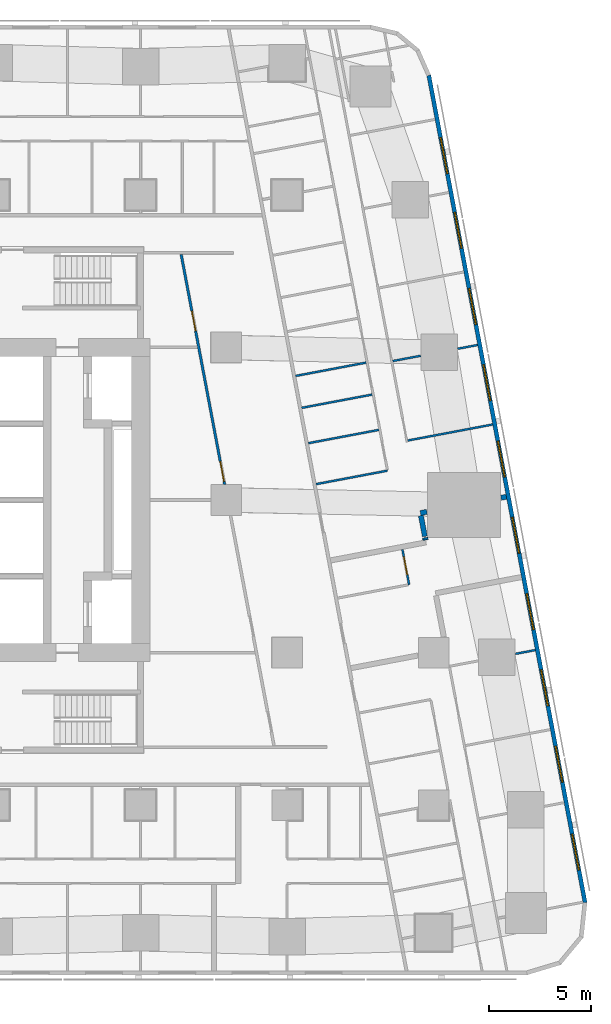
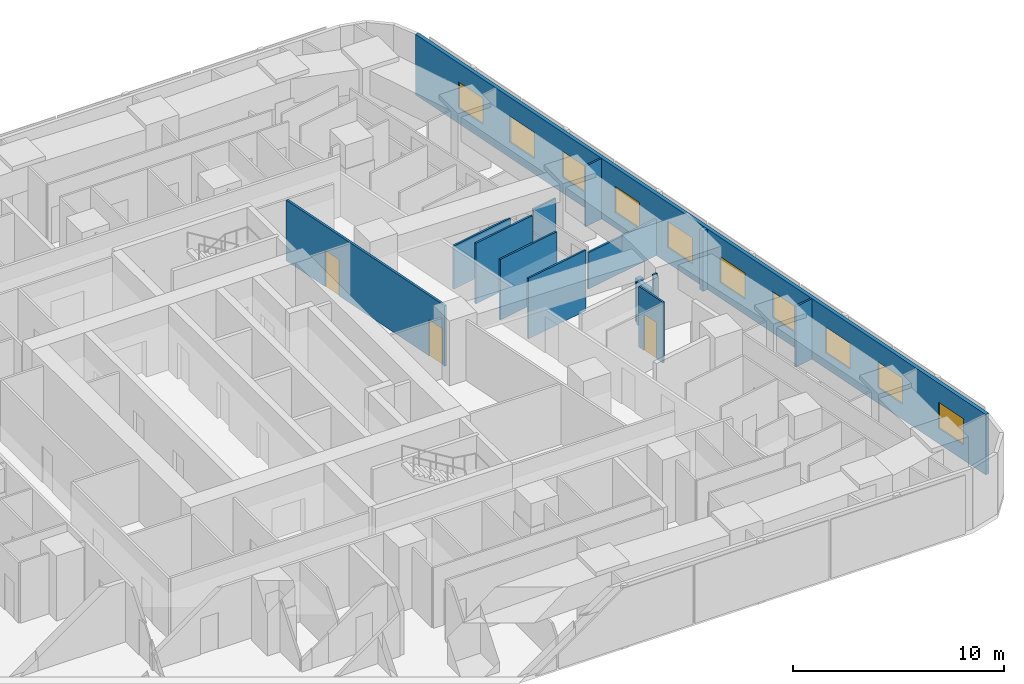
# One storey, part 8 of 15: 15 walls, 10 windows, 3 doors, 13 openings.
"""IFC4 building model written with IfcOpenShell, lengths in metres."""

from ifc_helpers import new_model, si_unit, direction, frame, frame_2d, origin, place, context, subcontext, project, spatial, rectangle, extrude, material, layer, layer_set, type_object, element, fill, save


model = new_model("IFC4")

# Units and contexts
model_context = context("Model", 3, precision=1e-05, world=origin(), true_north=direction((0.0, 1.0)))
body_context = subcontext(model_context, "Body", "Model", "MODEL_VIEW")
ifc_project = project(units=[si_unit("LENGTHUNIT", "METRE"), si_unit("AREAUNIT", "SQUARE_METRE"), si_unit("VOLUMEUNIT", "CUBIC_METRE"), si_unit("PLANEANGLEUNIT", "RADIAN"), si_unit("MASSUNIT", "GRAM", prefix="KILO")], contexts=[model_context])

# Site, building, storey
site_placement = place(None, origin())
site = spatial("IfcSite", under=ifc_project, at=site_placement, CompositionType="ELEMENT")
building_placement = place(site_placement, origin())
building = spatial("IfcBuilding", under=site, at=building_placement, Name="Sheger Commons Tower", CompositionType="ELEMENT")
storey_placement = place(building_placement, frame((0.0, 0.0, 165.800048828125)))
storey = spatial("IfcBuildingStorey", under=building, at=storey_placement, Name="L42", CompositionType="ELEMENT", Elevation=165.800048828125)

# Walls
ifc_material_1 = material(Name="Dense concrete block masonry, plastered both sides (separating wall between flats)", Category="masonry")
ifc_layer_1 = layer(ifc_material_1, 0.25)
ifc_layer_set_1 = layer_set([ifc_layer_1], Name="DEMISING WALL 250")
wall_type_1 = type_object("IfcWallType", Name="DEMISING WALL 250", PredefinedType="SOLIDWALL", material=ifc_layer_set_1)
wall_1_placement = place(storey_placement, frame((46.781982421875, 22.656982421875, 0.0), z_axis=(0.0, 0.0, 1.0), x_axis=(-0.982104607121, -0.188336243648, 0.0)))
element("IfcWall", 1, at=wall_1_placement, inside=storey, type_object=wall_type_1, Name="Demising wall L42", PredefinedType="SOLIDWALL", context=body_context, shape_type="SweptSolid", body=[
    extrude(rectangle(XDim=0.265625, YDim=0.25, at=frame_2d((0.1328125, 0.0))), origin(), (0.0, 0.0, 1.0), 3.5),
])
wall_2_placement = place(storey_placement, frame((42.873046875, 21.91796875, 0.0), z_axis=(0.0, 0.0, 1.0), x_axis=(-0.982431406936, -0.186624035603, 0.0)))
element("IfcWall", 2, at=wall_2_placement, inside=storey, type_object=wall_type_1, Name="Demising wall L42", PredefinedType="SOLIDWALL", context=body_context, shape_type="SweptSolid", body=[
    extrude(rectangle(XDim=0.32177734375, YDim=0.25, at=frame_2d((0.160888671875, 0.0))), origin(), (0.0, 0.0, 1.0), 2.5),
])
wall_3_placement = place(storey_placement, frame((42.580078125, 21.736083984375, 0.0), z_axis=(0.0, 0.0, 1.0), x_axis=(0.185458925981, -0.982652017132, 0.0)))
element("IfcWall", 3, at=wall_3_placement, inside=storey, type_object=wall_type_1, Name="Demising wall L42", PredefinedType="SOLIDWALL", context=body_context, shape_type="SweptSolid", body=[
    extrude(rectangle(XDim=1.045166015625, YDim=0.25, at=frame_2d((0.5224609375, 0.0))), origin(), (0.0, 0.0, 1.0), 2.5),
])
wall_4_placement = place(storey_placement, frame((42.787109375, 20.638916015625, 0.0), z_axis=(0.0, 0.0, 1.0), x_axis=(0.185013851593, -0.982735913009, 0.0)))
element("IfcWall", 4, at=wall_4_placement, inside=storey, type_object=wall_type_1, Name="Demising wall L42", PredefinedType="SOLIDWALL", context=body_context, shape_type="SweptSolid", body=[
    extrude(rectangle(XDim=0.1015625, YDim=0.25, at=frame_2d((0.05078125, 0.0))), origin(), (0.0, 0.0, 1.0), 3.5),
])

# Wall, openings, windows
ifc_material_2 = material(Name="Rendered concrete block masonry, dark grey", Category="masonry")
ifc_layer_2 = layer(ifc_material_2, 0.199951171875)
ifc_layer_set_2 = layer_set([ifc_layer_2], Name="FACADE WALL 200")
wall_type_2 = type_object("IfcWallType", Name="FACADE WALL 200", PredefinedType="SOLIDWALL", material=ifc_layer_set_2)
wall_5_placement = place(storey_placement, frame((50.653076171875, 2.702880859375, 0.0), z_axis=(0.0, 0.0, 1.0), x_axis=(-0.185612026696, 0.982623109613, 0.0)))
wall_5 = element("IfcWall", 5, at=wall_5_placement, inside=storey, type_object=wall_type_2, Name="Facade wall L42", PredefinedType="SOLIDWALL", context=body_context, shape_type="SweptSolid", body=[
    extrude(rectangle(XDim=41.393310546875, YDim=0.199951171875, at=frame_2d((20.69677734375, 0.0))), origin(), (0.0, 0.0, 1.0), 3.5),
])
opening_1_placement = place(wall_5_placement, frame((1.633056640625, 0.0, 0.89990234375)))
opening_1 = element("IfcOpeningElement", 6, at=opening_1_placement, cuts=wall_5, Name="Opening W2", PredefinedType="OPENING", context=body_context, shape_type="SweptSolid", body=[
    extrude(rectangle(XDim=1.800048828125, YDim=1.5, at=frame_2d((0.89990234375, 0.75))), frame((0.0, 0.10986328125, 0.0), z_axis=(0.0, -1.0, 0.0), x_axis=(1.0, 0.0, 0.0)), (0.0, 0.0, 1.0), 0.219970703125),
])
opening_2_placement = place(wall_5_placement, frame((6.031982421875, 0.0, 0.89990234375)))
opening_2 = element("IfcOpeningElement", 7, at=opening_2_placement, cuts=wall_5, Name="Opening W2", PredefinedType="OPENING", context=body_context, shape_type="SweptSolid", body=[
    extrude(rectangle(XDim=1.800048828125, YDim=1.5, at=frame_2d((0.89990234375, 0.75))), frame((0.0, 0.10986328125, 0.0), z_axis=(0.0, -1.0, 0.0), x_axis=(1.0, 0.0, 0.0)), (0.0, 0.0, 1.0), 0.219970703125),
])
opening_3_placement = place(wall_5_placement, frame((9.847900390625, 0.0, 0.89990234375)))
opening_3 = element("IfcOpeningElement", 8, at=opening_3_placement, cuts=wall_5, Name="Opening W2", PredefinedType="OPENING", context=body_context, shape_type="SweptSolid", body=[
    extrude(rectangle(XDim=1.800048828125, YDim=1.5, at=frame_2d((0.89990234375, 0.75))), frame((0.0, 0.10986328125, 0.0), z_axis=(0.0, -1.0, 0.0), x_axis=(1.0, 0.0, 0.0)), (0.0, 0.0, 1.0), 0.219970703125),
])
opening_4_placement = place(wall_5_placement, frame((13.6640625, 0.0, 0.89990234375)))
opening_4 = element("IfcOpeningElement", 9, at=opening_4_placement, cuts=wall_5, Name="Opening W2", PredefinedType="OPENING", context=body_context, shape_type="SweptSolid", body=[
    extrude(rectangle(XDim=1.800048828125, YDim=1.5, at=frame_2d((0.89990234375, 0.75))), frame((0.0, 0.10986328125, 0.0), z_axis=(0.0, -1.0, 0.0), x_axis=(1.0, 0.0, 0.0)), (0.0, 0.0, 1.0), 0.219970703125),
])
opening_5_placement = place(wall_5_placement, frame((17.48095703125, 0.0, 0.89990234375)))
opening_5 = element("IfcOpeningElement", 10, at=opening_5_placement, cuts=wall_5, Name="Opening W2", PredefinedType="OPENING", context=body_context, shape_type="SweptSolid", body=[
    extrude(rectangle(XDim=1.800048828125, YDim=1.5, at=frame_2d((0.89990234375, 0.75))), frame((0.0, 0.10986328125, 0.0), z_axis=(0.0, -1.0, 0.0), x_axis=(1.0, 0.0, 0.0)), (0.0, 0.0, 1.0), 0.219970703125),
])
opening_6_placement = place(wall_5_placement, frame((21.297119140625, 0.0, 0.89990234375)))
opening_6 = element("IfcOpeningElement", 11, at=opening_6_placement, cuts=wall_5, Name="Opening W2", PredefinedType="OPENING", context=body_context, shape_type="SweptSolid", body=[
    extrude(rectangle(XDim=1.800048828125, YDim=1.5, at=frame_2d((0.89990234375, 0.75))), frame((0.0, 0.10986328125, 0.0), z_axis=(0.0, -1.0, 0.0), x_axis=(1.0, 0.0, 0.0)), (0.0, 0.0, 1.0), 0.219970703125),
])
opening_7_placement = place(wall_5_placement, frame((25.113037109375, 0.0, 0.89990234375)))
opening_7 = element("IfcOpeningElement", 12, at=opening_7_placement, cuts=wall_5, Name="Opening W2", PredefinedType="OPENING", context=body_context, shape_type="SweptSolid", body=[
    extrude(rectangle(XDim=1.800048828125, YDim=1.5, at=frame_2d((0.89990234375, 0.75))), frame((0.0, 0.10986328125, 0.0), z_axis=(0.0, -1.0, 0.0), x_axis=(1.0, 0.0, 0.0)), (0.0, 0.0, 1.0), 0.219970703125),
])
opening_8_placement = place(wall_5_placement, frame((28.929931640625, 0.0, 0.89990234375)))
opening_8 = element("IfcOpeningElement", 13, at=opening_8_placement, cuts=wall_5, Name="Opening W2", PredefinedType="OPENING", context=body_context, shape_type="SweptSolid", body=[
    extrude(rectangle(XDim=1.800048828125, YDim=1.5, at=frame_2d((0.89990234375, 0.75))), frame((0.0, 0.10986328125, 0.0), z_axis=(0.0, -1.0, 0.0), x_axis=(1.0, 0.0, 0.0)), (0.0, 0.0, 1.0), 0.219970703125),
])
opening_9_placement = place(wall_5_placement, frame((32.74609375, 0.0, 0.89990234375)))
opening_9 = element("IfcOpeningElement", 14, at=opening_9_placement, cuts=wall_5, Name="Opening W2", PredefinedType="OPENING", context=body_context, shape_type="SweptSolid", body=[
    extrude(rectangle(XDim=1.800048828125, YDim=1.5, at=frame_2d((0.89990234375, 0.75))), frame((0.0, 0.10986328125, 0.0), z_axis=(0.0, -1.0, 0.0), x_axis=(1.0, 0.0, 0.0)), (0.0, 0.0, 1.0), 0.219970703125),
])
opening_10_placement = place(wall_5_placement, frame((36.48095703125, 0.0, 0.89990234375)))
opening_10 = element("IfcOpeningElement", 15, at=opening_10_placement, cuts=wall_5, Name="Opening W2", PredefinedType="OPENING", context=body_context, shape_type="SweptSolid", body=[
    extrude(rectangle(XDim=1.800048828125, YDim=1.5, at=frame_2d((0.89990234375, 0.75))), frame((0.0, 0.10986328125, 0.0), z_axis=(0.0, -1.0, 0.0), x_axis=(1.0, 0.0, 0.0)), (0.0, 0.0, 1.0), 0.219970703125),
])
ifc_material_3 = material(Name="Black aluminium frame, dark tinted double glazing", Category="aluminium")
window_type = type_object("IfcWindowType", Name="WINDOW W2 1800x1500", PartitioningType="SINGLE_PANEL", PredefinedType="WINDOW", material=ifc_material_3)
window_1_placement = place(opening_1_placement, origin())
window_1 = element("IfcWindow", 16, at=window_1_placement, inside=storey, type_object=window_type, Name="Window W2 1800X1500", OverallHeight=1.5, OverallWidth=1.800048828125, PartitioningType="SINGLE_PANEL", PredefinedType="WINDOW", context=body_context, shape_type="SweptSolid", body=[
    extrude(rectangle(XDim=1.800048828125, YDim=1.5, at=frame_2d((0.89990234375, 0.75))), frame((0.0, 0.030029296875, 0.0), z_axis=(0.0, -1.0, 0.0), x_axis=(1.0, 0.0, 0.0)), (0.0, 0.0, 1.0), 0.06005859375),
])
fill(opening_1, window_1)
window_2_placement = place(opening_2_placement, origin())
window_2 = element("IfcWindow", 17, at=window_2_placement, inside=storey, type_object=window_type, Name="Window W2 1800X1500", OverallHeight=1.5, OverallWidth=1.800048828125, PartitioningType="SINGLE_PANEL", PredefinedType="WINDOW", context=body_context, shape_type="SweptSolid", body=[
    extrude(rectangle(XDim=1.800048828125, YDim=1.5, at=frame_2d((0.89990234375, 0.75))), frame((0.0, 0.030029296875, 0.0), z_axis=(0.0, -1.0, 0.0), x_axis=(1.0, 0.0, 0.0)), (0.0, 0.0, 1.0), 0.06005859375),
])
fill(opening_2, window_2)
window_3_placement = place(opening_3_placement, origin())
window_3 = element("IfcWindow", 18, at=window_3_placement, inside=storey, type_object=window_type, Name="Window W2 1800X1500", OverallHeight=1.5, OverallWidth=1.800048828125, PartitioningType="SINGLE_PANEL", PredefinedType="WINDOW", context=body_context, shape_type="SweptSolid", body=[
    extrude(rectangle(XDim=1.800048828125, YDim=1.5, at=frame_2d((0.89990234375, 0.75))), frame((0.0, 0.030029296875, 0.0), z_axis=(0.0, -1.0, 0.0), x_axis=(1.0, 0.0, 0.0)), (0.0, 0.0, 1.0), 0.06005859375),
])
fill(opening_3, window_3)
window_4_placement = place(opening_4_placement, origin())
window_4 = element("IfcWindow", 19, at=window_4_placement, inside=storey, type_object=window_type, Name="Window W2 1800X1500", OverallHeight=1.5, OverallWidth=1.800048828125, PartitioningType="SINGLE_PANEL", PredefinedType="WINDOW", context=body_context, shape_type="SweptSolid", body=[
    extrude(rectangle(XDim=1.800048828125, YDim=1.5, at=frame_2d((0.89990234375, 0.75))), frame((0.0, 0.030029296875, 0.0), z_axis=(0.0, -1.0, 0.0), x_axis=(1.0, 0.0, 0.0)), (0.0, 0.0, 1.0), 0.06005859375),
])
fill(opening_4, window_4)
window_5_placement = place(opening_5_placement, origin())
window_5 = element("IfcWindow", 20, at=window_5_placement, inside=storey, type_object=window_type, Name="Window W2 1800X1500", OverallHeight=1.5, OverallWidth=1.800048828125, PartitioningType="SINGLE_PANEL", PredefinedType="WINDOW", context=body_context, shape_type="SweptSolid", body=[
    extrude(rectangle(XDim=1.800048828125, YDim=1.5, at=frame_2d((0.89990234375, 0.75))), frame((0.0, 0.030029296875, 0.0), z_axis=(0.0, -1.0, 0.0), x_axis=(1.0, 0.0, 0.0)), (0.0, 0.0, 1.0), 0.06005859375),
])
fill(opening_5, window_5)
window_6_placement = place(opening_6_placement, origin())
window_6 = element("IfcWindow", 21, at=window_6_placement, inside=storey, type_object=window_type, Name="Window W2 1800X1500", OverallHeight=1.5, OverallWidth=1.800048828125, PartitioningType="SINGLE_PANEL", PredefinedType="WINDOW", context=body_context, shape_type="SweptSolid", body=[
    extrude(rectangle(XDim=1.800048828125, YDim=1.5, at=frame_2d((0.89990234375, 0.75))), frame((0.0, 0.030029296875, 0.0), z_axis=(0.0, -1.0, 0.0), x_axis=(1.0, 0.0, 0.0)), (0.0, 0.0, 1.0), 0.06005859375),
])
fill(opening_6, window_6)
window_7_placement = place(opening_7_placement, origin())
window_7 = element("IfcWindow", 22, at=window_7_placement, inside=storey, type_object=window_type, Name="Window W2 1800X1500", OverallHeight=1.5, OverallWidth=1.800048828125, PartitioningType="SINGLE_PANEL", PredefinedType="WINDOW", context=body_context, shape_type="SweptSolid", body=[
    extrude(rectangle(XDim=1.800048828125, YDim=1.5, at=frame_2d((0.89990234375, 0.75))), frame((0.0, 0.030029296875, 0.0), z_axis=(0.0, -1.0, 0.0), x_axis=(1.0, 0.0, 0.0)), (0.0, 0.0, 1.0), 0.06005859375),
])
fill(opening_7, window_7)
window_8_placement = place(opening_8_placement, origin())
window_8 = element("IfcWindow", 23, at=window_8_placement, inside=storey, type_object=window_type, Name="Window W2 1800X1500", OverallHeight=1.5, OverallWidth=1.800048828125, PartitioningType="SINGLE_PANEL", PredefinedType="WINDOW", context=body_context, shape_type="SweptSolid", body=[
    extrude(rectangle(XDim=1.800048828125, YDim=1.5, at=frame_2d((0.89990234375, 0.75))), frame((0.0, 0.030029296875, 0.0), z_axis=(0.0, -1.0, 0.0), x_axis=(1.0, 0.0, 0.0)), (0.0, 0.0, 1.0), 0.06005859375),
])
fill(opening_8, window_8)
window_9_placement = place(opening_9_placement, origin())
window_9 = element("IfcWindow", 24, at=window_9_placement, inside=storey, type_object=window_type, Name="Window W2 1800X1500", OverallHeight=1.5, OverallWidth=1.800048828125, PartitioningType="SINGLE_PANEL", PredefinedType="WINDOW", context=body_context, shape_type="SweptSolid", body=[
    extrude(rectangle(XDim=1.800048828125, YDim=1.5, at=frame_2d((0.89990234375, 0.75))), frame((0.0, 0.030029296875, 0.0), z_axis=(0.0, -1.0, 0.0), x_axis=(1.0, 0.0, 0.0)), (0.0, 0.0, 1.0), 0.06005859375),
])
fill(opening_9, window_9)
window_10_placement = place(opening_10_placement, origin())
window_10 = element("IfcWindow", 25, at=window_10_placement, inside=storey, type_object=window_type, Name="Window W2 1800X1500", OverallHeight=1.5, OverallWidth=1.800048828125, PartitioningType="SINGLE_PANEL", PredefinedType="WINDOW", context=body_context, shape_type="SweptSolid", body=[
    extrude(rectangle(XDim=1.800048828125, YDim=1.5, at=frame_2d((0.89990234375, 0.75))), frame((0.0, 0.030029296875, 0.0), z_axis=(0.0, -1.0, 0.0), x_axis=(1.0, 0.0, 0.0)), (0.0, 0.0, 1.0), 0.06005859375),
])
fill(opening_10, window_10)

# Walls
ifc_material_4 = material(Name="Gypsum board on steel studs", Category="steel")
ifc_layer_3 = layer(ifc_material_4, 0.10009765625)
ifc_layer_set_3 = layer_set([ifc_layer_3], Name="PARTITION 100")
wall_type_3 = type_object("IfcWallType", Name="PARTITION 100", PredefinedType="PARTITIONING", material=ifc_layer_set_3)
wall_6_placement = place(storey_placement, frame((45.3720703125, 30.12109375, 0.0), z_axis=(0.0, 0.0, 1.0), x_axis=(-0.982708646087, -0.185158626332, 0.0)))
element("IfcWall", 26, at=wall_6_placement, inside=storey, type_object=wall_type_3, Name="Partition L42", PredefinedType="PARTITIONING", context=body_context, shape_type="SweptSolid", body=[
    extrude(rectangle(XDim=0.99951171875, YDim=0.10009765625, at=frame_2d((0.499755859375, 0.0))), origin(), (0.0, 0.0, 1.0), 3.5),
])
wall_7_placement = place(storey_placement, frame((42.570068359375, 29.592041015625, 0.0), z_axis=(0.0, 0.0, 1.0), x_axis=(-0.982562488259, -0.185932667021, 0.0)))
element("IfcWall", 27, at=wall_7_placement, inside=storey, type_object=wall_type_3, Name="Partition L42", PredefinedType="PARTITIONING", context=body_context, shape_type="SweptSolid", body=[
    extrude(rectangle(XDim=1.3984375, YDim=0.10009765625, at=frame_2d((0.69921875, 0.0))), origin(), (0.0, 0.0, 1.0), 2.5),
])
wall_8_placement = place(storey_placement, frame((46.110107421875, 26.212890625, 0.0), z_axis=(0.0, 0.0, 1.0), x_axis=(-0.982623519589, -0.185609856287, 0.0)))
element("IfcWall", 28, at=wall_8_placement, inside=storey, type_object=wall_type_3, Name="Partition L42", PredefinedType="PARTITIONING", context=body_context, shape_type="SweptSolid", body=[
    extrude(rectangle(XDim=4.249755859375, YDim=0.10009765625, at=frame_2d((2.125, 0.0))), origin(), (0.0, 0.0, 1.0), 2.099853515625),
])
wall_9_placement = place(storey_placement, frame((40.18408203125, 27.68310546875, 0.0), z_axis=(0.0, 0.0, 1.0), x_axis=(-0.982638553676, -0.185530247748, 0.0)))
element("IfcWall", 29, at=wall_9_placement, inside=storey, type_object=wall_type_3, Name="Partition L42", PredefinedType="PARTITIONING", context=body_context, shape_type="SweptSolid", body=[
    extrude(rectangle(XDim=3.525390625, YDim=0.10009765625, at=frame_2d((1.7626953125, 0.0))), origin(), (0.0, 0.0, 1.0), 3.5),
])
wall_10_placement = place(storey_placement, frame((40.94189453125, 23.943115234375, 0.0), z_axis=(0.0, 0.0, 1.0), x_axis=(-0.982598214409, -0.185743772548, 0.0)))
element("IfcWall", 30, at=wall_10_placement, inside=storey, type_object=wall_type_3, Name="Partition L42", PredefinedType="PARTITIONING", context=body_context, shape_type="SweptSolid", body=[
    extrude(rectangle(XDim=3.5751953125, YDim=0.10009765625, at=frame_2d((1.78759765625, 0.0))), origin(), (0.0, 0.0, 1.0), 3.5),
])
wall_11_placement = place(storey_placement, frame((40.511962890625, 25.947998046875, 0.0), z_axis=(0.0, 0.0, 1.0), x_axis=(-0.982636169624, -0.185542874149, 0.0)))
element("IfcWall", 31, at=wall_11_placement, inside=storey, type_object=wall_type_3, Name="Partition L42", PredefinedType="PARTITIONING", context=body_context, shape_type="SweptSolid", body=[
    extrude(rectangle(XDim=3.525146484375, YDim=0.10009765625, at=frame_2d((1.7626953125, 0.0))), origin(), (0.0, 0.0, 1.0), 3.5),
])
wall_12_placement = place(storey_placement, frame((39.886962890625, 29.256103515625, 0.0), z_axis=(0.0, 0.0, 1.0), x_axis=(-0.982585626838, -0.185810349366, 0.0)))
element("IfcWall", 32, at=wall_12_placement, inside=storey, type_object=wall_type_3, Name="Partition L42", PredefinedType="PARTITIONING", context=body_context, shape_type="SweptSolid", body=[
    extrude(rectangle(XDim=3.525146484375, YDim=0.10009765625, at=frame_2d((1.7626953125, 0.0))), origin(), (0.0, 0.0, 1.0), 2.5),
])

# Wall, opening, door
wall_13_placement = place(storey_placement, frame((41.673095703125, 20.070068359375, 0.0), z_axis=(0.0, 0.0, 1.0), x_axis=(0.185783379659, -0.98259072652, 0.0)))
wall_13 = element("IfcWall", 33, at=wall_13_placement, inside=storey, type_object=wall_type_3, Name="Partition L42", PredefinedType="PARTITIONING", context=body_context, shape_type="SweptSolid", body=[
    extrude(rectangle(XDim=1.764892578125, YDim=0.10009765625, at=frame_2d((0.88232421875, 0.0))), origin(), (0.0, 0.0, 1.0), 3.5),
])
opening_11_placement = place(wall_13_placement, frame((0.3740234375, 0.0, 0.0)))
opening_11 = element("IfcOpeningElement", 34, at=opening_11_placement, cuts=wall_13, Name="Opening D2", PredefinedType="OPENING", context=body_context, shape_type="SweptSolid", body=[
    extrude(rectangle(XDim=0.89990234375, YDim=2.10009765625, at=frame_2d((0.449951171875, 1.050048828125))), frame((0.0, 0.06005859375, 0.0), z_axis=(0.0, -1.0, 0.0), x_axis=(1.0, 0.0, 0.0)), (0.0, 0.0, 1.0), 0.1201171875),
])
ifc_material_5 = material(Name="Timber door set", Category="wood")
door_type_1 = type_object("IfcDoorType", Name="INTERNAL DOOR 900x2100", OperationType="NOTDEFINED", PredefinedType="DOOR", material=ifc_material_5)
door_1_placement = place(opening_11_placement, origin())
door_1 = element("IfcDoor", 35, at=door_1_placement, inside=storey, type_object=door_type_1, Name="Shower room door", OperationType="SINGLE_SWING_RIGHT", OverallHeight=2.10009765625, OverallWidth=0.89990234375, PredefinedType="DOOR", context=body_context, shape_type="SweptSolid", body=[
    extrude(rectangle(XDim=0.89990234375, YDim=2.10009765625, at=frame_2d((0.449951171875, 1.050048828125))), frame((0.0, 0.02490234375, 0.0), z_axis=(0.0, -1.0, 0.0), x_axis=(1.0, 0.0, 0.0)), (0.0, 0.0, 1.0), 0.050048828125),
])
fill(opening_11, door_1)

# Wall
wall_14_placement = place(storey_placement, frame((48.2060546875, 15.1201171875, 0.0), z_axis=(0.0, 0.0, 1.0), x_axis=(-0.982700268498, -0.185203083919, 0.0)))
element("IfcWall", 36, at=wall_14_placement, inside=storey, type_object=wall_type_3, Name="Partition L42", PredefinedType="PARTITIONING", context=body_context, shape_type="SweptSolid", body=[
    extrude(rectangle(XDim=0.999267578125, YDim=0.10009765625, at=frame_2d((0.49951171875, 0.0))), origin(), (0.0, 0.0, 1.0), 3.5),
])

# Wall, openings, doors
ifc_material_6 = material(Name="Gypsum board on steel studs, two layers each side, fire rated", Category="steel")
ifc_layer_4 = layer(ifc_material_6, 0.125)
ifc_layer_set_4 = layer_set([ifc_layer_4], Name="SERVICE WALL 125")
wall_type_4 = type_object("IfcWallType", Name="SERVICE WALL 125", PredefinedType="PARTITIONING", material=ifc_layer_set_4)
wall_15_placement = place(storey_placement, frame((32.928955078125, 23.262939453125, 0.0), z_axis=(0.0, 0.0, 1.0), x_axis=(-0.185612234763, 0.982623070311, 0.0)))
wall_15 = element("IfcWall", 37, at=wall_15_placement, inside=storey, type_object=wall_type_4, Name="Service room wall L42", PredefinedType="PARTITIONING", context=body_context, shape_type="SweptSolid", body=[
    extrude(rectangle(XDim=11.512939453125, YDim=0.125, at=frame_2d((5.75634765625, 0.0))), origin(), (0.0, 0.0, 1.0), 3.5),
])
opening_12_placement = place(wall_15_placement, frame((0.14990234375, 0.0, 0.0)))
opening_12 = element("IfcOpeningElement", 38, at=opening_12_placement, cuts=wall_15, Name="Opening D4", PredefinedType="OPENING", context=body_context, shape_type="SweptSolid", body=[
    extrude(rectangle(XDim=1.0, YDim=2.10009765625, at=frame_2d((0.5, 1.050048828125))), frame((0.0, 0.072509765625, 0.0), z_axis=(0.0, -1.0, 0.0), x_axis=(1.0, 0.0, 0.0)), (0.0, 0.0, 1.0), 0.14501953125),
])
opening_13_placement = place(wall_15_placement, frame((7.678955078125, 0.0, 0.0)))
opening_13 = element("IfcOpeningElement", 39, at=opening_13_placement, cuts=wall_15, Name="Opening D4", PredefinedType="OPENING", context=body_context, shape_type="SweptSolid", body=[
    extrude(rectangle(XDim=1.0, YDim=2.10009765625, at=frame_2d((0.5, 1.050048828125))), frame((0.0, 0.072509765625, 0.0), z_axis=(0.0, -1.0, 0.0), x_axis=(1.0, 0.0, 0.0)), (0.0, 0.0, 1.0), 0.14501953125),
])
ifc_material_7 = material(Name="Steel door set, fire rated", Category="steel")
door_type_2 = type_object("IfcDoorType", Name="SERVICE DOOR 1000x2100", OperationType="NOTDEFINED", PredefinedType="DOOR", material=ifc_material_7)
door_2_placement = place(opening_12_placement, origin())
door_2 = element("IfcDoor", 40, at=door_2_placement, inside=storey, type_object=door_type_2, Name="Residents' store door", OperationType="SINGLE_SWING_LEFT", OverallHeight=2.10009765625, OverallWidth=1.0, PredefinedType="DOOR", context=body_context, shape_type="SweptSolid", body=[
    extrude(rectangle(XDim=1.0, YDim=2.10009765625, at=frame_2d((0.5, 1.050048828125))), frame((0.0, 0.02490234375, 0.0), z_axis=(0.0, -1.0, 0.0), x_axis=(1.0, 0.0, 0.0)), (0.0, 0.0, 1.0), 0.050048828125),
])
fill(opening_12, door_2)
door_3_placement = place(opening_13_placement, origin())
door_3 = element("IfcDoor", 41, at=door_3_placement, inside=storey, type_object=door_type_2, Name="Residents' meeting room door", OperationType="SINGLE_SWING_LEFT", OverallHeight=2.10009765625, OverallWidth=1.0, PredefinedType="DOOR", context=body_context, shape_type="SweptSolid", body=[
    extrude(rectangle(XDim=1.0, YDim=2.10009765625, at=frame_2d((0.5, 1.050048828125))), frame((0.0, 0.02490234375, 0.0), z_axis=(0.0, -1.0, 0.0), x_axis=(1.0, 0.0, 0.0)), (0.0, 0.0, 1.0), 0.050048828125),
])
fill(opening_13, door_3)

save(model, "model.ifc")
